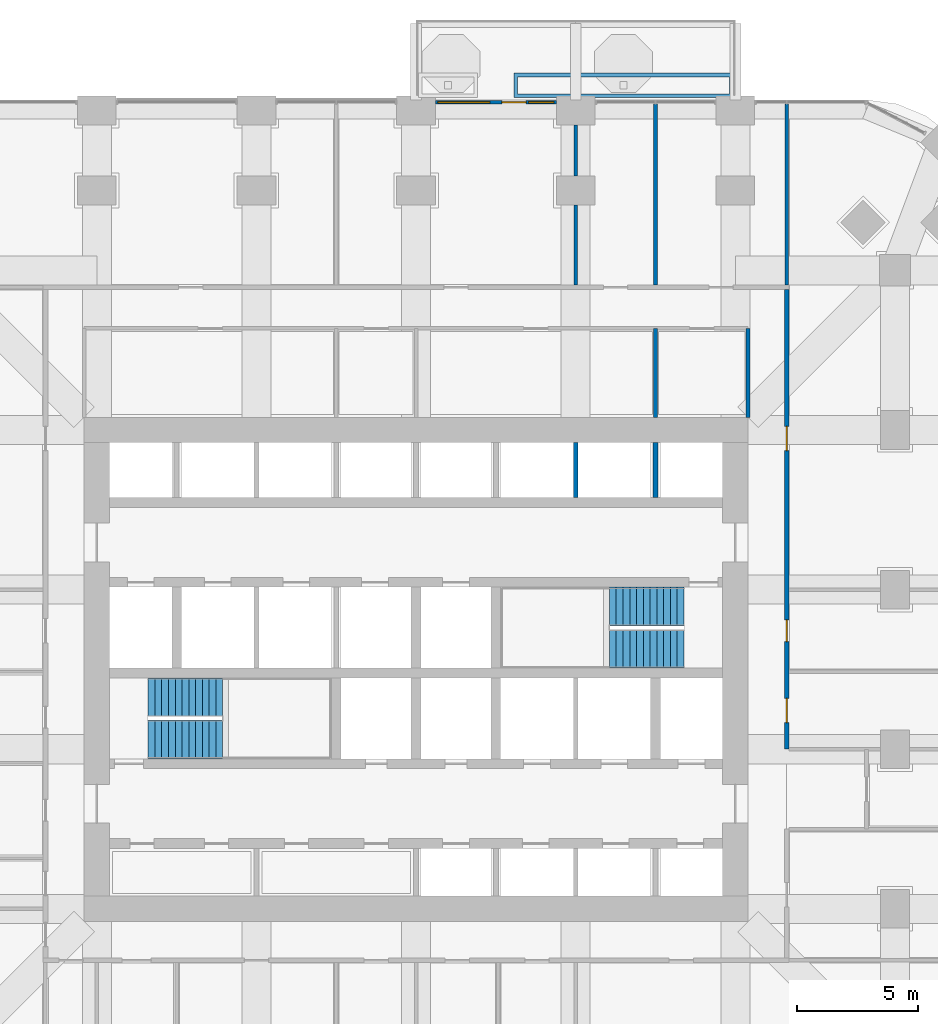
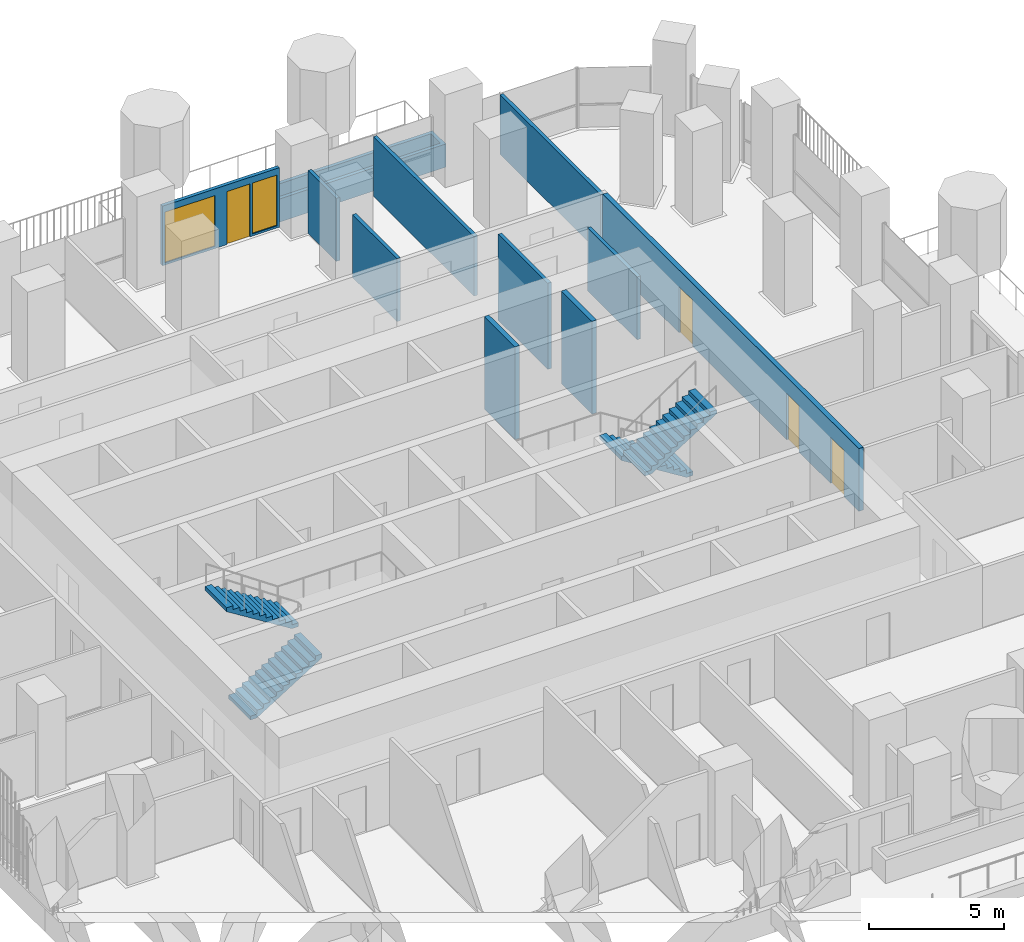
# One storey, part 17 of 22: 11 walls, 4 doors, 4 stair flights, 2 windows, 6 openings, 2 elements without a shape of their own.
"""IFC4 building model written with IfcOpenShell, lengths in metres."""

from ifc_helpers import new_model, si_unit, direction, frame, frame_2d, origin, place, context, subcontext, project, spatial, polyline, rectangle, outline, extrude, material, layer, layer_set, type_object, element, fill, aggregate, save


model = new_model("IFC4")

# Units and contexts
model_context = context("Model", 3, precision=1e-05, world=origin(), true_north=direction((0.0, 1.0)))
body_context = subcontext(model_context, "Body", "Model", "MODEL_VIEW")
ifc_project = project(units=[si_unit("LENGTHUNIT", "METRE"), si_unit("AREAUNIT", "SQUARE_METRE"), si_unit("VOLUMEUNIT", "CUBIC_METRE"), si_unit("PLANEANGLEUNIT", "RADIAN"), si_unit("MASSUNIT", "GRAM", prefix="KILO")], contexts=[model_context])

# Site, building, storey
site_placement = place(None, origin())
site = spatial("IfcSite", under=ifc_project, at=site_placement, CompositionType="ELEMENT")
building_placement = place(site_placement, origin())
building = spatial("IfcBuilding", under=site, at=building_placement, Name="Cobogo Forest Laboratory Tower", CompositionType="ELEMENT")
storey_placement = place(building_placement, frame((0.0, 0.0, 94.800048828125)))
storey = spatial("IfcBuildingStorey", under=building, at=storey_placement, Name="L21", CompositionType="ELEMENT", Elevation=94.800048828125)

# Wall, openings, door, windows
ifc_material_1 = material(Name="Aluminium framed glazed screen", Category="aluminium")
ifc_layer_1 = layer(ifc_material_1, 0.14990234375)
ifc_layer_set_1 = layer_set([ifc_layer_1], Name="GS1 glazed door screen 150")
wall_type_1 = type_object("IfcWallType", Name="GS1 glazed door screen 150", PredefinedType="SOLIDWALL", material=ifc_layer_set_1)
wall_1_placement = place(storey_placement, frame((32.199951171875, 46.550048828125, 0.0), z_axis=(0.0, 0.0, 1.0), x_axis=(-1.0, 0.0, 0.0)))
wall_1 = element("IfcWall", 1, at=wall_1_placement, inside=storey, type_object=wall_type_1, Name="Door screen BAL-N1 L21", PredefinedType="SOLIDWALL", context=body_context, shape_type="SweptSolid", body=[
    extrude(rectangle(XDim=5.0, YDim=0.14990234375, at=frame_2d((2.5, 0.0))), origin(), (0.0, 0.0, 1.0), 2.699951171875),
])
opening_1_placement = place(wall_1_placement, frame((1.25, 0.0, 0.0)))
opening_1 = element("IfcOpeningElement", 2, at=opening_1_placement, cuts=wall_1, Name="Opening L21-D46", PredefinedType="OPENING", context=body_context, shape_type="SweptSolid", body=[
    extrude(rectangle(XDim=1.0, YDim=2.39990234375, at=frame_2d((0.5, 1.199951171875))), frame((0.0, 0.0849609375, 0.0), z_axis=(0.0, -1.0, 0.0), x_axis=(1.0, 0.0, 0.0)), (0.0, 0.0, 1.0), 0.169921875),
])
opening_2_placement = place(wall_1_placement, frame((0.10009765625, 0.0, 0.10009765625)))
opening_2 = element("IfcOpeningElement", 3, at=opening_2_placement, cuts=wall_1, Name="Opening L21-W08", PredefinedType="OPENING", context=body_context, shape_type="SweptSolid", body=[
    extrude(rectangle(XDim=1.050048828125, YDim=2.300048828125, at=frame_2d((0.52490234375, 1.14990234375))), frame((0.0, 0.0849609375, 0.0), z_axis=(0.0, -1.0, 0.0), x_axis=(1.0, 0.0, 0.0)), (0.0, 0.0, 1.0), 0.169921875),
])
opening_3_placement = place(wall_1_placement, frame((2.75, 0.0, 0.10009765625)))
opening_3 = element("IfcOpeningElement", 4, at=opening_3_placement, cuts=wall_1, Name="Opening L21-W07", PredefinedType="OPENING", context=body_context, shape_type="SweptSolid", body=[
    extrude(rectangle(XDim=2.14990234375, YDim=2.300048828125, at=frame_2d((1.074951171875, 1.14990234375))), frame((0.0, 0.0849609375, 0.0), z_axis=(0.0, -1.0, 0.0), x_axis=(1.0, 0.0, 0.0)), (0.0, 0.0, 1.0), 0.169921875),
])
ifc_material_2 = material(Name="Aluminium glazed door", Category="aluminium")
door_type_1 = type_object("IfcDoorType", Name="DB1 balcony door 1000 glazed", OperationType="SINGLE_SWING_LEFT", PredefinedType="DOOR", material=ifc_material_2)
door_1_placement = place(opening_1_placement, origin())
door_1 = element("IfcDoor", 5, at=door_1_placement, inside=storey, type_object=door_type_1, Name="Door L21-BAL-N1", OperationType="SINGLE_SWING_LEFT", OverallHeight=2.39990234375, OverallWidth=1.0, PredefinedType="DOOR", context=body_context, shape_type="SweptSolid", body=[
    extrude(rectangle(XDim=1.0, YDim=2.39990234375, at=frame_2d((0.5, 1.199951171875))), frame((0.0, 0.02490234375, 0.0), z_axis=(0.0, -1.0, 0.0), x_axis=(1.0, 0.0, 0.0)), (0.0, 0.0, 1.0), 0.050048828125),
])
fill(opening_1, door_1)
ifc_material_3 = material(Name="Aluminium framed glazing", Category="aluminium")
window_type_1 = type_object("IfcWindowType", Name="WG13 fixed glazed light 2150x2300", PartitioningType="SINGLE_PANEL", PredefinedType="WINDOW", material=ifc_material_3)
window_1_placement = place(opening_3_placement, origin())
window_1 = element("IfcWindow", 6, at=window_1_placement, inside=storey, type_object=window_type_1, Name="Window L21-BAL-N1-2", OverallHeight=2.300048828125, OverallWidth=2.14990234375, PartitioningType="SINGLE_PANEL", PredefinedType="WINDOW", context=body_context, shape_type="SweptSolid", body=[
    extrude(rectangle(XDim=2.14990234375, YDim=2.300048828125, at=frame_2d((1.074951171875, 1.14990234375))), frame((0.0, 0.030029296875, 0.0), z_axis=(0.0, -1.0, 0.0), x_axis=(1.0, 0.0, 0.0)), (0.0, 0.0, 1.0), 0.06005859375),
])
fill(opening_3, window_1)
window_type_2 = type_object("IfcWindowType", Name="WG14 fixed glazed light 1050x2300", PartitioningType="SINGLE_PANEL", PredefinedType="WINDOW", material=ifc_material_3)
window_2_placement = place(opening_2_placement, origin())
window_2 = element("IfcWindow", 7, at=window_2_placement, inside=storey, type_object=window_type_2, Name="Window L21-BAL-N1-1", OverallHeight=2.300048828125, OverallWidth=1.050048828125, PartitioningType="SINGLE_PANEL", PredefinedType="WINDOW", context=body_context, shape_type="SweptSolid", body=[
    extrude(rectangle(XDim=1.050048828125, YDim=2.300048828125, at=frame_2d((0.52490234375, 1.14990234375))), frame((0.0, 0.030029296875, 0.0), z_axis=(0.0, -1.0, 0.0), x_axis=(1.0, 0.0, 0.0)), (0.0, 0.0, 1.0), 0.06005859375),
])
fill(opening_2, window_2)

# Walls
ifc_material_4 = material(Name="Gypsum board on steel studs", Category="steel")
ifc_layer_2 = layer(ifc_material_4, 0.14990234375)
ifc_layer_set_2 = layer_set([ifc_layer_2], Name="PT1 laboratory partition 150")
wall_type_2 = type_object("IfcWallType", Name="PT1 laboratory partition 150", PredefinedType="PARTITIONING", material=ifc_layer_set_2)
wall_2_placement = place(storey_placement, frame((40.125, 33.52490234375, 0.0), z_axis=(0.0, 0.0, 1.0), x_axis=(0.0, 1.0, 0.0)))
element("IfcWall", 8, at=wall_2_placement, inside=storey, type_object=wall_type_2, Name="Partition CSTRIP-NE L21", PredefinedType="PARTITIONING", context=body_context, shape_type="SweptSolid", body=[
    extrude(rectangle(XDim=3.675048828125, YDim=0.14990234375, at=frame_2d((1.83740234375, 0.0))), origin(), (0.0, 0.0, 1.0), 2.849853515625),
])
wall_3_placement = place(storey_placement, frame((36.300048828125, 33.52490234375, 0.0), z_axis=(0.0, 0.0, 1.0), x_axis=(0.0, 1.0, 0.0)))
element("IfcWall", 9, at=wall_3_placement, inside=storey, type_object=wall_type_2, Name="Partition CSTRIP-N36.3 L21", PredefinedType="PARTITIONING", context=body_context, shape_type="SweptSolid", body=[
    extrude(rectangle(XDim=3.675048828125, YDim=0.14990234375, at=frame_2d((1.83740234375, 0.0))), origin(), (0.0, 0.0, 1.0), 3.89990234375),
])
wall_4_placement = place(storey_placement, frame((41.72509765625, 46.469970703125, 0.0), z_axis=(0.0, 0.0, 1.0), x_axis=(0.0, -1.0, 0.0)))
element("IfcWall", 10, at=wall_4_placement, inside=storey, type_object=wall_type_2, Name="Partition PW-NE L21", PredefinedType="PARTITIONING", context=body_context, shape_type="SweptSolid", body=[
    extrude(rectangle(XDim=7.469970703125, YDim=0.14990234375, at=frame_2d((3.73486328125, 0.0))), origin(), (0.0, 0.0, 1.0), 2.699951171875),
])
wall_5_placement = place(storey_placement, frame((33.0, 45.60009765625, 0.0), z_axis=(0.0, 0.0, 1.0), x_axis=(0.0, -1.0, 0.0)))
element("IfcWall", 11, at=wall_5_placement, inside=storey, type_object=wall_type_2, Name="Partition CUT-N33-1 L21", PredefinedType="PARTITIONING", context=body_context, shape_type="SweptSolid", body=[
    extrude(rectangle(XDim=2.10009765625, YDim=0.14990234375, at=frame_2d((1.050048828125, 0.0))), origin(), (0.0, 0.0, 1.0), 2.849853515625),
])
wall_6_placement = place(storey_placement, frame((33.0, 42.300048828125, 0.0), z_axis=(0.0, 0.0, 1.0), x_axis=(0.0, -1.0, 0.0)))
element("IfcWall", 12, at=wall_6_placement, inside=storey, type_object=wall_type_2, Name="Partition CUT-N33-2 L21", PredefinedType="PARTITIONING", context=body_context, shape_type="SweptSolid", body=[
    extrude(rectangle(XDim=3.300048828125, YDim=0.14990234375, at=frame_2d((1.64990234375, 0.0))), origin(), (0.0, 0.0, 1.0), 2.849853515625),
])
wall_7_placement = place(storey_placement, frame((36.300048828125, 46.469970703125, 0.0), z_axis=(0.0, 0.0, 1.0), x_axis=(0.0, -1.0, 0.0)))
element("IfcWall", 13, at=wall_7_placement, inside=storey, type_object=wall_type_2, Name="Partition CUT-N36.3-1 L21", PredefinedType="PARTITIONING", context=body_context, shape_type="SweptSolid", body=[
    extrude(rectangle(XDim=7.469970703125, YDim=0.14990234375, at=frame_2d((3.73486328125, 0.0))), origin(), (0.0, 0.0, 1.0), 2.699951171875),
])

# Wall, openings, doors
ifc_layer_3 = layer(ifc_material_4, 0.199951171875)
ifc_layer_set_3 = layer_set([ifc_layer_3], Name="PT2 fire-rated corridor partition 200")
wall_type_3 = type_object("IfcWallType", Name="PT2 fire-rated corridor partition 200", PredefinedType="PARTITIONING", material=ifc_layer_set_3)
wall_8_placement = place(storey_placement, frame((41.72509765625, 19.800048828125, 0.0), z_axis=(0.0, 0.0, 1.0), x_axis=(0.0, 1.0, 0.0)))
wall_8 = element("IfcWall", 14, at=wall_8_placement, inside=storey, type_object=wall_type_3, Name="Partition CORR-E-2 L21", PredefinedType="PARTITIONING", context=body_context, shape_type="SweptSolid", body=[
    extrude(rectangle(XDim=19.0, YDim=0.199951171875, at=frame_2d((9.5, 0.0))), origin(), (0.0, 0.0, 1.0), 2.849853515625),
])
opening_4_placement = place(wall_8_placement, frame((1.10009765625, 0.0, 0.0)))
opening_4 = element("IfcOpeningElement", 15, at=opening_4_placement, cuts=wall_8, Name="Opening L21-D28", PredefinedType="OPENING", context=body_context, shape_type="SweptSolid", body=[
    extrude(rectangle(XDim=1.0, YDim=2.10009765625, at=frame_2d((0.5, 1.050048828125))), frame((0.0, 0.10986328125, 0.0), z_axis=(0.0, -1.0, 0.0), x_axis=(1.0, 0.0, 0.0)), (0.0, 0.0, 1.0), 0.219970703125),
])
opening_5_placement = place(wall_8_placement, frame((4.449951171875, 0.0, 0.0)))
opening_5 = element("IfcOpeningElement", 16, at=opening_5_placement, cuts=wall_8, Name="Opening L21-D32", PredefinedType="OPENING", context=body_context, shape_type="SweptSolid", body=[
    extrude(rectangle(XDim=0.89990234375, YDim=2.10009765625, at=frame_2d((0.449951171875, 1.050048828125))), frame((0.0, 0.10986328125, 0.0), z_axis=(0.0, -1.0, 0.0), x_axis=(1.0, 0.0, 0.0)), (0.0, 0.0, 1.0), 0.219970703125),
])
opening_6_placement = place(wall_8_placement, frame((12.35009765625, 0.0, 0.0)))
opening_6 = element("IfcOpeningElement", 17, at=opening_6_placement, cuts=wall_8, Name="Opening L21-D37", PredefinedType="OPENING", context=body_context, shape_type="SweptSolid", body=[
    extrude(rectangle(XDim=1.0, YDim=2.10009765625, at=frame_2d((0.5, 1.050048828125))), frame((0.0, 0.10986328125, 0.0), z_axis=(0.0, -1.0, 0.0), x_axis=(1.0, 0.0, 0.0)), (0.0, 0.0, 1.0), 0.219970703125),
])
ifc_material_5 = material(Name="Steel fire door", Category="steel")
door_type_2 = type_object("IfcDoorType", Name="FD1 fire door 1000 EI2 60", OperationType="SINGLE_SWING_LEFT", PredefinedType="DOOR", material=ifc_material_5)
door_2_placement = place(opening_4_placement, origin())
door_2 = element("IfcDoor", 18, at=door_2_placement, inside=storey, type_object=door_type_2, Name="Door L21-ELEC", OperationType="SINGLE_SWING_LEFT", OverallHeight=2.10009765625, OverallWidth=1.0, PredefinedType="DOOR", context=body_context, shape_type="SweptSolid", body=[
    extrude(rectangle(XDim=1.0, YDim=2.10009765625, at=frame_2d((0.5, 1.050048828125))), frame((0.0, 0.02490234375, 0.0), z_axis=(0.0, -1.0, 0.0), x_axis=(1.0, 0.0, 0.0)), (0.0, 0.0, 1.0), 0.050048828125),
])
fill(opening_4, door_2)
ifc_material_6 = material(Name="Timber fire door", Category="wood")
door_type_3 = type_object("IfcDoorType", Name="FD2 fire door 1000 EI2 30", OperationType="SINGLE_SWING_LEFT", PredefinedType="DOOR", material=ifc_material_6)
door_3_placement = place(opening_6_placement, origin())
door_3 = element("IfcDoor", 19, at=door_3_placement, inside=storey, type_object=door_type_3, Name="Door L21-E3", OperationType="SINGLE_SWING_RIGHT", OverallHeight=2.10009765625, OverallWidth=1.0, PredefinedType="DOOR", context=body_context, shape_type="SweptSolid", body=[
    extrude(rectangle(XDim=1.0, YDim=2.10009765625, at=frame_2d((0.5, 1.050048828125))), frame((0.0, 0.02490234375, 0.0), z_axis=(0.0, -1.0, 0.0), x_axis=(1.0, 0.0, 0.0)), (0.0, 0.0, 1.0), 0.050048828125),
])
fill(opening_6, door_3)
door_type_4 = type_object("IfcDoorType", Name="FD4 riser access door 900 EI2 60", OperationType="SINGLE_SWING_LEFT", PredefinedType="DOOR", material=ifc_material_5)
door_4_placement = place(opening_5_placement, origin())
door_4 = element("IfcDoor", 20, at=door_4_placement, inside=storey, type_object=door_type_4, Name="Door L21-COMMS", OperationType="SINGLE_SWING_LEFT", OverallHeight=2.10009765625, OverallWidth=0.89990234375, PredefinedType="DOOR", context=body_context, shape_type="SweptSolid", body=[
    extrude(rectangle(XDim=0.89990234375, YDim=2.10009765625, at=frame_2d((0.449951171875, 1.050048828125))), frame((0.0, 0.02490234375, 0.0), z_axis=(0.0, -1.0, 0.0), x_axis=(1.0, 0.0, 0.0)), (0.0, 0.0, 1.0), 0.050048828125),
])
fill(opening_5, door_4)

# Walls
ifc_material_7 = material(Name="Concrete HA-40 (C40/50)", Category="concrete")
ifc_layer_4 = layer(ifc_material_7, 0.14990234375)
ifc_layer_set_4 = layer_set([ifc_layer_4], Name="Planter box 1000x1050")
wall_type_4 = type_object("IfcWallType", Name="Planter box 1000x1050", PredefinedType="USERDEFINED", material=ifc_layer_set_4)
wall_9_placement = place(storey_placement, origin())
element("IfcWall", 21, at=wall_9_placement, inside=storey, type_object=wall_type_4, Name="Planter BAL-N1-2 L21", ObjectType="PLANTER", PredefinedType="USERDEFINED", context=body_context, shape_type="SweptSolid", body=[
    extrude(outline(polyline([(30.449951171875, 46.75), (39.5, 46.75), (39.5, 47.75), (30.449951171875, 47.75), (30.449951171875, 46.75)]), holes=[polyline([(30.60009765625, 46.89990234375), (39.35009765625, 46.89990234375), (39.35009765625, 47.60009765625), (30.60009765625, 47.60009765625), (30.60009765625, 46.89990234375)])]), origin(), (0.0, 0.0, 1.0), 1.050048828125),
])
ifc_material_8 = material(Name="Concrete block", Category="concrete")
ifc_layer_5 = layer(ifc_material_8, 0.199951171875)
ifc_layer_set_5 = layer_set([ifc_layer_5], Name="SW200 lift shaft separator 200")
wall_type_5 = type_object("IfcWallType", Name="SW200 lift shaft separator 200", PredefinedType="PARTITIONING", material=ifc_layer_set_5)
for number, where, z_axis, x_axis, name in (
    (22, (33.0, 30.199951171875, 0.0), (0.0, 0.0, 1.0), (0.0, 1.0, 0.0), "Core wall SEP-N6 L21"),
    (23, (36.300048828125, 30.199951171875, 0.0), (0.0, 0.0, 1.0), (0.0, 1.0, 0.0), "Core wall SEP-N7 L21"),
):
    element("IfcWall", number, at=place(storey_placement, frame(where, z_axis=z_axis, x_axis=x_axis)), inside=storey, type_object=wall_type_5, Name=name, PredefinedType="PARTITIONING", context=body_context, shape_type="SweptSolid", body=[
        extrude(rectangle(XDim=2.275146484375, YDim=0.199951171875, at=frame_2d((1.1376953125, 0.0))), origin(), (0.0, 0.0, 1.0), 4.199951171875),
    ])

# Stair, stair flights
ifc_material_9 = material(Name="Precast concrete HA-40 (C40/50)", Category="concrete")
stair_type = type_object("IfcStairType", Name="ST24 exit stair 24 risers", PredefinedType="HALF_TURN_STAIR", material=ifc_material_9)
stair_1_placement = place(storey_placement, origin())
stair_1 = element("IfcStair", 24, at=stair_1_placement, inside=storey, type_object=stair_type, Name="Stair 1 L21 to L22", PredefinedType="HALF_TURN_STAIR")
stair_flight_type = type_object("IfcStairFlightType", Name="ST stair flight 280 going", PredefinedType="STRAIGHT", material=ifc_material_9)
stair_flight_1_placement = place(storey_placement, frame((15.324951171875, 20.199951171875, 0.0), z_axis=(0.0, 0.0, 1.0), x_axis=(1.0, 0.0, 0.0)))
stair_flight_1 = element("IfcStairFlight", 25, at=stair_flight_1_placement, type_object=stair_flight_type, Name="ST1 flight 1", NumberOfRisers=12, NumberOfTreads=11, PredefinedType="STRAIGHT", RiserHeight=0.175, TreadLength=0.28, context=body_context, shape_type="SweptSolid", body=[
    extrude(outline(polyline([(0.0, 0.0), (0.0, 0.175048828125), (0.280029296875, 0.175048828125), (0.280029296875, 0.35009765625), (0.56005859375, 0.35009765625), (0.56005859375, 0.52490234375), (0.840087890625, 0.52490234375), (0.840087890625, 0.699951171875), (1.1201171875, 0.699951171875), (1.1201171875, 0.875), (1.39990234375, 0.875), (1.39990234375, 1.050048828125), (1.679931640625, 1.050048828125), (1.679931640625, 1.22509765625), (1.9599609375, 1.22509765625), (1.9599609375, 1.39990234375), (2.239990234375, 1.39990234375), (2.239990234375, 1.574951171875), (2.52001953125, 1.574951171875), (2.52001953125, 1.75), (2.800048828125, 1.75), (2.800048828125, 1.925048828125), (3.080078125, 1.925048828125), (3.080078125, 2.10009765625), (3.080078125, 1.748291015625), (0.28271484375, 0.0), (0.0, 0.0)])), frame((0.0, 0.800048828125, 0.0), z_axis=(0.0, -1.0, 0.0), x_axis=(1.0, 0.0, 0.0)), (0.0, 0.0, 1.0), 1.60009765625),
])
stair_flight_2_placement = place(storey_placement, frame((18.405029296875, 21.949951171875, 2.099853515625), z_axis=(0.0, 0.0, 1.0), x_axis=(-1.0, 0.0, 0.0)))
stair_flight_2 = element("IfcStairFlight", 26, at=stair_flight_2_placement, type_object=stair_flight_type, Name="ST1 flight 2", NumberOfRisers=12, NumberOfTreads=11, PredefinedType="STRAIGHT", RiserHeight=0.175, TreadLength=0.28, context=body_context, shape_type="SweptSolid", body=[
    extrude(outline(polyline([(0.0, 0.0), (0.0, 0.175048828125), (0.280029296875, 0.175048828125), (0.280029296875, 0.35009765625), (0.56005859375, 0.35009765625), (0.56005859375, 0.52490234375), (0.840087890625, 0.52490234375), (0.840087890625, 0.699951171875), (1.1201171875, 0.699951171875), (1.1201171875, 0.875), (1.39990234375, 0.875), (1.39990234375, 1.050048828125), (1.679931640625, 1.050048828125), (1.679931640625, 1.22509765625), (1.9599609375, 1.22509765625), (1.9599609375, 1.39990234375), (2.239990234375, 1.39990234375), (2.239990234375, 1.574951171875), (2.52001953125, 1.574951171875), (2.52001953125, 1.75), (2.800048828125, 1.75), (2.800048828125, 1.925048828125), (3.080078125, 1.925048828125), (3.080078125, 2.10009765625), (3.080078125, 1.748291015625), (0.28271484375, 0.0), (0.0, 0.0)])), frame((0.0, 0.800048828125, 0.0), z_axis=(0.0, -1.0, 0.0), x_axis=(1.0, 0.0, 0.0)), (0.0, 0.0, 1.0), 1.60009765625),
])
aggregate(stair_1, [stair_flight_1, stair_flight_2])

stair_2_placement = place(storey_placement, origin())
stair_2 = element("IfcStair", 27, at=stair_2_placement, inside=storey, type_object=stair_type, Name="Stair 2 L21 to L22", PredefinedType="HALF_TURN_STAIR")
stair_flight_3_placement = place(storey_placement, frame((37.47509765625, 25.699951171875, 0.0), z_axis=(0.0, 0.0, 1.0), x_axis=(-1.0, 0.0, 0.0)))
stair_flight_3 = element("IfcStairFlight", 28, at=stair_flight_3_placement, type_object=stair_flight_type, Name="ST2 flight 1", NumberOfRisers=12, NumberOfTreads=11, PredefinedType="STRAIGHT", RiserHeight=0.175, TreadLength=0.28, context=body_context, shape_type="SweptSolid", body=[
    extrude(outline(polyline([(0.0, 0.0), (0.0, 0.175048828125), (0.280029296875, 0.175048828125), (0.280029296875, 0.35009765625), (0.56005859375, 0.35009765625), (0.56005859375, 0.52490234375), (0.840087890625, 0.52490234375), (0.840087890625, 0.699951171875), (1.1201171875, 0.699951171875), (1.1201171875, 0.875), (1.39990234375, 0.875), (1.39990234375, 1.050048828125), (1.679931640625, 1.050048828125), (1.679931640625, 1.22509765625), (1.9599609375, 1.22509765625), (1.9599609375, 1.39990234375), (2.239990234375, 1.39990234375), (2.239990234375, 1.574951171875), (2.52001953125, 1.574951171875), (2.52001953125, 1.75), (2.800048828125, 1.75), (2.800048828125, 1.925048828125), (3.080078125, 1.925048828125), (3.080078125, 2.10009765625), (3.080078125, 1.748291015625), (0.28271484375, 0.0), (0.0, 0.0)])), frame((0.0, 0.800048828125, 0.0), z_axis=(0.0, -1.0, 0.0), x_axis=(1.0, 0.0, 0.0)), (0.0, 0.0, 1.0), 1.60009765625),
])
stair_flight_4_placement = place(storey_placement, frame((34.39501953125, 23.949951171875, 2.099853515625), z_axis=(0.0, 0.0, 1.0), x_axis=(1.0, 0.0, 0.0)))
stair_flight_4 = element("IfcStairFlight", 29, at=stair_flight_4_placement, type_object=stair_flight_type, Name="ST2 flight 2", NumberOfRisers=12, NumberOfTreads=11, PredefinedType="STRAIGHT", RiserHeight=0.175, TreadLength=0.28, context=body_context, shape_type="SweptSolid", body=[
    extrude(outline(polyline([(0.0, 0.0), (0.0, 0.175048828125), (0.280029296875, 0.175048828125), (0.280029296875, 0.35009765625), (0.56005859375, 0.35009765625), (0.56005859375, 0.52490234375), (0.840087890625, 0.52490234375), (0.840087890625, 0.699951171875), (1.1201171875, 0.699951171875), (1.1201171875, 0.875), (1.39990234375, 0.875), (1.39990234375, 1.050048828125), (1.679931640625, 1.050048828125), (1.679931640625, 1.22509765625), (1.9599609375, 1.22509765625), (1.9599609375, 1.39990234375), (2.239990234375, 1.39990234375), (2.239990234375, 1.574951171875), (2.52001953125, 1.574951171875), (2.52001953125, 1.75), (2.800048828125, 1.75), (2.800048828125, 1.925048828125), (3.080078125, 1.925048828125), (3.080078125, 2.10009765625), (3.080078125, 1.748291015625), (0.28271484375, 0.0), (0.0, 0.0)])), frame((0.0, 0.800048828125, 0.0), z_axis=(0.0, -1.0, 0.0), x_axis=(1.0, 0.0, 0.0)), (0.0, 0.0, 1.0), 1.60009765625),
])
aggregate(stair_2, [stair_flight_3, stair_flight_4])

save(model, "model.ifc")
